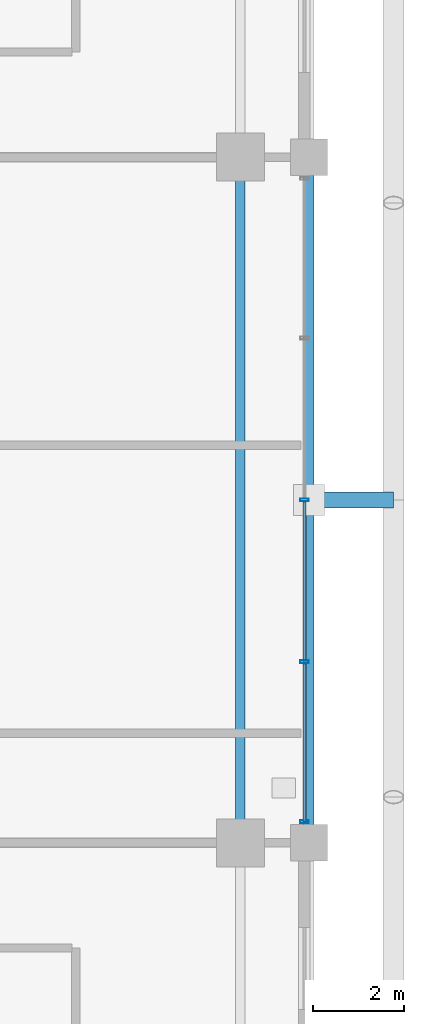
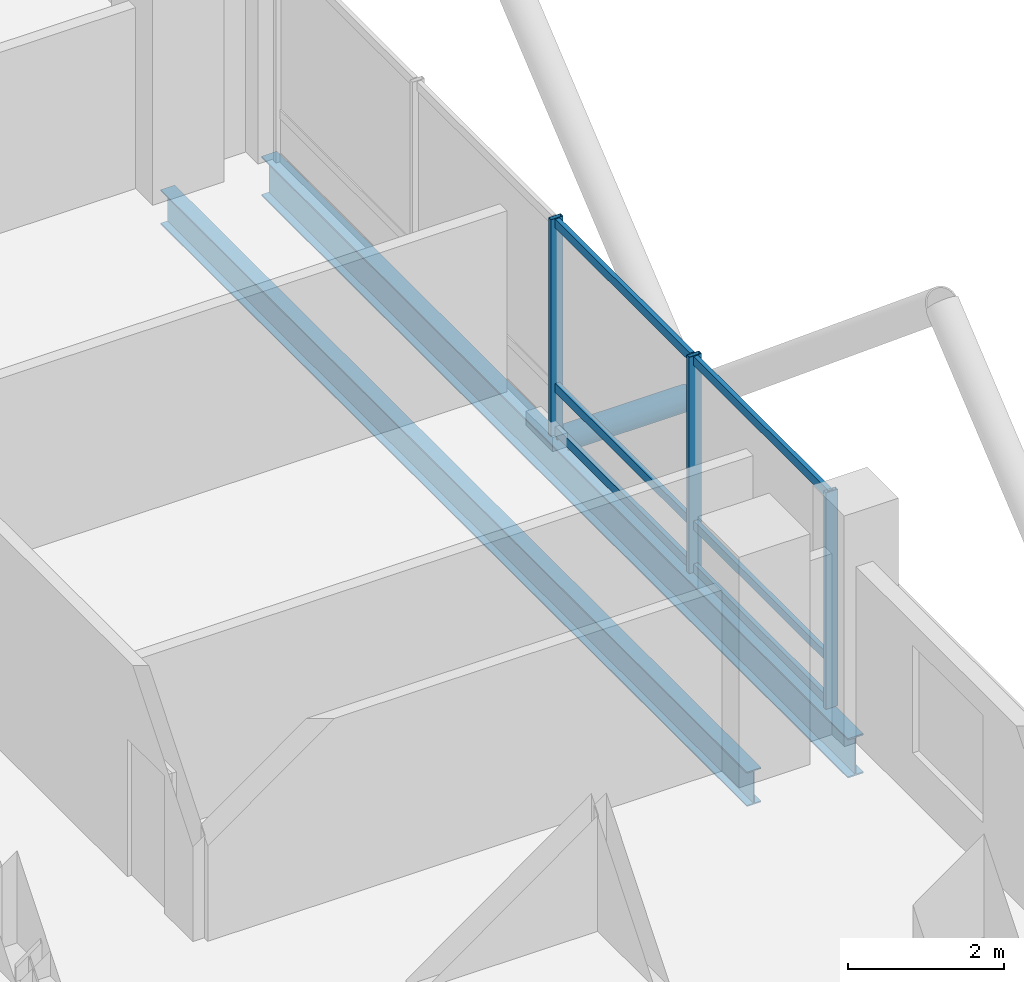
# One storey, part 11 of 26: 10 members, 2 beams, 1 element without a shape of its own.
"""IFC4 building model written with IfcOpenShell, lengths in metres."""

from ifc_helpers import new_model, si_unit, direction, frame, origin, origin_2d, place, context, subcontext, project, spatial, hollow_rectangle, hollow_circle, i_section, extrude, material, layer, layer_set, material_profile, profile_set, type_object, element, aggregate, save


model = new_model("IFC4")

# Units and contexts
model_context = context("Model", 3, precision=1e-05, world=origin(), true_north=direction((0.0, 1.0)))
body_context = subcontext(model_context, "Body", "Model", "MODEL_VIEW")
ifc_project = project(units=[si_unit("LENGTHUNIT", "METRE"), si_unit("AREAUNIT", "SQUARE_METRE"), si_unit("VOLUMEUNIT", "CUBIC_METRE"), si_unit("PLANEANGLEUNIT", "RADIAN"), si_unit("MASSUNIT", "GRAM", prefix="KILO")], contexts=[model_context])

# Site, building, storey
site_placement = place(None, origin())
site = spatial("IfcSite", under=ifc_project, at=site_placement, CompositionType="ELEMENT")
building_placement = place(site_placement, origin())
building = spatial("IfcBuilding", under=site, at=building_placement, Name="Barlavira Tower and Art Museum", CompositionType="ELEMENT")
storey_placement = place(building_placement, frame((0.0, 0.0, 198.0)))
storey = spatial("IfcBuildingStorey", under=building, at=storey_placement, Name="L51", CompositionType="ELEMENT", Elevation=198.0)

# Curtain wall, members
ifc_material_1 = material(Name="Low-iron coastal laminated glass", Category="glass")
ifc_layer = layer(ifc_material_1, 0.199951171875, Name="Low-iron coastal laminated glass")
ifc_layer_set = layer_set([ifc_layer], Name="Low-iron coastal laminated glass")
curtain_wall_type = type_object("IfcCurtainWallType", Name="Pale-Metal Unitised Curtain Wall Zone 3", PredefinedType="NOTDEFINED", material=ifc_layer_set)
curtain_wall_placement = place(storey_placement, origin())
curtain_wall = element("IfcCurtainWall", 1, at=curtain_wall_placement, inside=storey, type_object=curtain_wall_type, Name="L51 Curtain Wall CW3-L51-E-B3", PredefinedType="NOTDEFINED")
ifc_material_2 = material(Name="Pale anodised aluminium", Category="aluminium")
ifc_material_profile_1 = material_profile(ifc_material_2, hollow_rectangle(XDim=0.06494140625, YDim=0.179931640625, WallThickness=0.00390625, at=origin_2d()), Name="ALU-MULL 65x180x4")
ifc_profile_set_1 = profile_set([ifc_material_profile_1], Name="Pale anodised aluminium")
member_type_1 = type_object("IfcMemberType", Name="Curtain Wall Pale-Metal Mullion 65x180", PredefinedType="MULLION", material=ifc_profile_set_1)
member_1_placement = place(storey_placement, frame((18.39990234375, -7.034912109375, 0.0), z_axis=(0.0, 0.0, 1.0), x_axis=(0.0, 1.0, 0.0)))
member_1 = element("IfcMember", 2, at=member_1_placement, type_object=member_type_1, Name="CW3-L51-E-B3 Mullion 0", PredefinedType="MULLION", context=body_context, shape_type="SweptSolid", body=[
    extrude(hollow_rectangle(XDim=0.06494140625, YDim=0.179931640625, WallThickness=0.00390625, at=origin_2d()), origin(), (0.0, 0.0, 1.0), 3.3798828125),
])
member_2_placement = place(storey_placement, frame((18.39990234375, -3.5400390625, 0.0), z_axis=(0.0, 0.0, 1.0), x_axis=(0.0, 1.0, 0.0)))
member_2 = element("IfcMember", 3, at=member_2_placement, type_object=member_type_1, Name="CW3-L51-E-B3 Mullion 1", PredefinedType="MULLION", context=body_context, shape_type="SweptSolid", body=[
    extrude(hollow_rectangle(XDim=0.06494140625, YDim=0.179931640625, WallThickness=0.00390625, at=origin_2d()), origin(), (0.0, 0.0, 1.0), 3.3798828125),
])
member_3_placement = place(storey_placement, frame((18.39990234375, 0.0, 0.0), z_axis=(0.0, 0.0, 1.0), x_axis=(0.0, 1.0, 0.0)))
member_3 = element("IfcMember", 4, at=member_3_placement, type_object=member_type_1, Name="CW3-L51-E-B3 Mullion 2", PredefinedType="MULLION", context=body_context, shape_type="SweptSolid", body=[
    extrude(hollow_rectangle(XDim=0.06494140625, YDim=0.179931640625, WallThickness=0.00390625, at=origin_2d()), origin(), (0.0, 0.0, 1.0), 3.3798828125),
])
ifc_material_profile_2 = material_profile(ifc_material_2, hollow_rectangle(XDim=0.06494140625, YDim=0.139892578125, WallThickness=0.00390625, at=origin_2d()), Name="ALU-TRAN 65x140x4")
ifc_profile_set_2 = profile_set([ifc_material_profile_2], Name="Pale anodised aluminium")
member_type_2 = type_object("IfcMemberType", Name="Curtain Wall Pale-Metal Transom 65x140", PredefinedType="USERDEFINED", material=ifc_profile_set_2)
member_4_placement = place(storey_placement, frame((18.39990234375, -7.034912109375, 0.070068359375), z_axis=(0.0, 1.0, 0.0), x_axis=(-1.0, 0.0, 0.0)))
member_4 = element("IfcMember", 5, at=member_4_placement, type_object=member_type_2, Name="CW3-L51-E-B3 Transom 0.1", ObjectType="TRANSOM", PredefinedType="USERDEFINED", context=body_context, shape_type="SweptSolid", body=[
    extrude(hollow_rectangle(XDim=0.06494140625, YDim=0.139892578125, WallThickness=0.00390625, at=origin_2d()), origin(), (0.0, 0.0, 1.0), 3.449951171875),
])
member_5_placement = place(storey_placement, frame((18.39990234375, -7.034912109375, 0.743896484375), z_axis=(0.0, 1.0, 0.0), x_axis=(-1.0, 0.0, 0.0)))
member_5 = element("IfcMember", 6, at=member_5_placement, type_object=member_type_2, Name="CW3-L51-E-B3 Transom 0.2", ObjectType="TRANSOM", PredefinedType="USERDEFINED", context=body_context, shape_type="SweptSolid", body=[
    extrude(hollow_rectangle(XDim=0.06494140625, YDim=0.139892578125, WallThickness=0.00390625, at=origin_2d()), origin(), (0.0, 0.0, 1.0), 3.449951171875),
])
member_6_placement = place(storey_placement, frame((18.39990234375, -7.034912109375, 3.31005859375), z_axis=(0.0, 1.0, 0.0), x_axis=(-1.0, 0.0, 0.0)))
member_6 = element("IfcMember", 7, at=member_6_placement, type_object=member_type_2, Name="CW3-L51-E-B3 Transom 0.3", ObjectType="TRANSOM", PredefinedType="USERDEFINED", context=body_context, shape_type="SweptSolid", body=[
    extrude(hollow_rectangle(XDim=0.06494140625, YDim=0.139892578125, WallThickness=0.00390625, at=origin_2d()), origin(), (0.0, 0.0, 1.0), 3.449951171875),
])
member_7_placement = place(storey_placement, frame((18.39990234375, -3.4951171875, 0.070068359375), z_axis=(0.0, 1.0, 0.0), x_axis=(-1.0, 0.0, 0.0)))
member_7 = element("IfcMember", 8, at=member_7_placement, type_object=member_type_2, Name="CW3-L51-E-B3 Transom 1.1", ObjectType="TRANSOM", PredefinedType="USERDEFINED", context=body_context, shape_type="SweptSolid", body=[
    extrude(hollow_rectangle(XDim=0.06494140625, YDim=0.139892578125, WallThickness=0.00390625, at=origin_2d()), origin(), (0.0, 0.0, 1.0), 3.4501953125),
])
member_8_placement = place(storey_placement, frame((18.39990234375, -3.4951171875, 0.743896484375), z_axis=(0.0, 1.0, 0.0), x_axis=(-1.0, 0.0, 0.0)))
member_8 = element("IfcMember", 9, at=member_8_placement, type_object=member_type_2, Name="CW3-L51-E-B3 Transom 1.2", ObjectType="TRANSOM", PredefinedType="USERDEFINED", context=body_context, shape_type="SweptSolid", body=[
    extrude(hollow_rectangle(XDim=0.06494140625, YDim=0.139892578125, WallThickness=0.00390625, at=origin_2d()), origin(), (0.0, 0.0, 1.0), 3.4501953125),
])
member_9_placement = place(storey_placement, frame((18.39990234375, -3.4951171875, 3.31005859375), z_axis=(0.0, 1.0, 0.0), x_axis=(-1.0, 0.0, 0.0)))
member_9 = element("IfcMember", 10, at=member_9_placement, type_object=member_type_2, Name="CW3-L51-E-B3 Transom 1.3", ObjectType="TRANSOM", PredefinedType="USERDEFINED", context=body_context, shape_type="SweptSolid", body=[
    extrude(hollow_rectangle(XDim=0.06494140625, YDim=0.139892578125, WallThickness=0.00390625, at=origin_2d()), origin(), (0.0, 0.0, 1.0), 3.4501953125),
])
aggregate(curtain_wall, [member_1, member_2, member_3, member_4, member_5, member_6, member_7, member_8, member_9])

# Member
ifc_material_3 = material(Name="Steel S355", Category="steel")
ifc_material_profile_3 = material_profile(ifc_material_3, hollow_circle(Radius=0.177734375, WallThickness=0.01611328125, at=origin_2d()), Name="CHS 355.6x16.0")
ifc_profile_set_3 = profile_set([ifc_material_profile_3], Name="Steel S355")
member_type_3 = type_object("IfcMemberType", Name="Pale-Metal Exoskeleton Tie Strut CHS 356x16 Steel S355", PredefinedType="STRUT", material=ifc_profile_set_3)
member_10_placement = place(storey_placement, frame((20.35009765625, 0.0, -0.1201171875), z_axis=(-1.0, 0.0, 0.0), x_axis=(0.0, -1.0, 0.0)))
element("IfcMember", 11, at=member_10_placement, inside=storey, type_object=member_type_3, Name="L51 Exoskeleton Tie Strut E2", PredefinedType="STRUT", context=body_context, shape_type="SweptSolid", body=[
    extrude(hollow_circle(Radius=0.177734375, WallThickness=0.01611328125, at=origin_2d()), origin(), (0.0, 0.0, 1.0), 1.85009765625),
])

# Beams
ifc_material_profile_4 = material_profile(ifc_material_3, i_section(OverallWidth=0.22998046875, OverallDepth=0.616943359375, WebThickness=0.01318359375, FlangeThickness=0.022216796875, at=origin_2d()), Name="W610x140.0")
ifc_profile_set_4 = profile_set([ifc_material_profile_4], Name="Steel S355")
beam_type_1 = type_object("IfcBeamType", Name="Upper Shaft Spandrel Edge Beam W610x140 Steel S355", PredefinedType="SPANDREL", material=ifc_profile_set_4)
beam_1_placement = place(storey_placement, frame((18.5, -7.5, -0.528564453125), z_axis=(0.0, 1.0, 0.0), x_axis=(-1.0, 0.0, 0.0)))
element("IfcBeam", 12, at=beam_1_placement, inside=storey, type_object=beam_type_1, Name="L51 Spandrel 6", PredefinedType="SPANDREL", context=body_context, shape_type="SweptSolid", body=[
    extrude(i_section(OverallWidth=0.22998046875, OverallDepth=0.616943359375, WebThickness=0.01318359375, FlangeThickness=0.022216796875, at=origin_2d()), origin(), (0.0, 0.0, 1.0), 15.0),
])
ifc_material_profile_5 = material_profile(ifc_material_3, i_section(OverallWidth=0.2109375, OverallDepth=0.5390625, WebThickness=0.01171875, FlangeThickness=0.018798828125, at=origin_2d()), Name="W530x109.0")
ifc_profile_set_5 = profile_set([ifc_material_profile_5], Name="Steel S355")
beam_type_2 = type_object("IfcBeamType", Name="Zone 3-4 Primary Floor Girder W530x109 Steel S355", PredefinedType="BEAM", material=ifc_profile_set_5)
beam_2_placement = place(storey_placement, frame((17.0, -7.5, -0.489501953125), z_axis=(0.0, 1.0, 0.0), x_axis=(-1.0, 0.0, 0.0)))
element("IfcBeam", 13, at=beam_2_placement, inside=storey, type_object=beam_type_2, Name="L51 Girder M-E2", PredefinedType="BEAM", context=body_context, shape_type="SweptSolid", body=[
    extrude(i_section(OverallWidth=0.2109375, OverallDepth=0.5390625, WebThickness=0.01171875, FlangeThickness=0.018798828125, at=origin_2d()), origin(), (0.0, 0.0, 1.0), 15.0),
])

save(model, "model.ifc")
